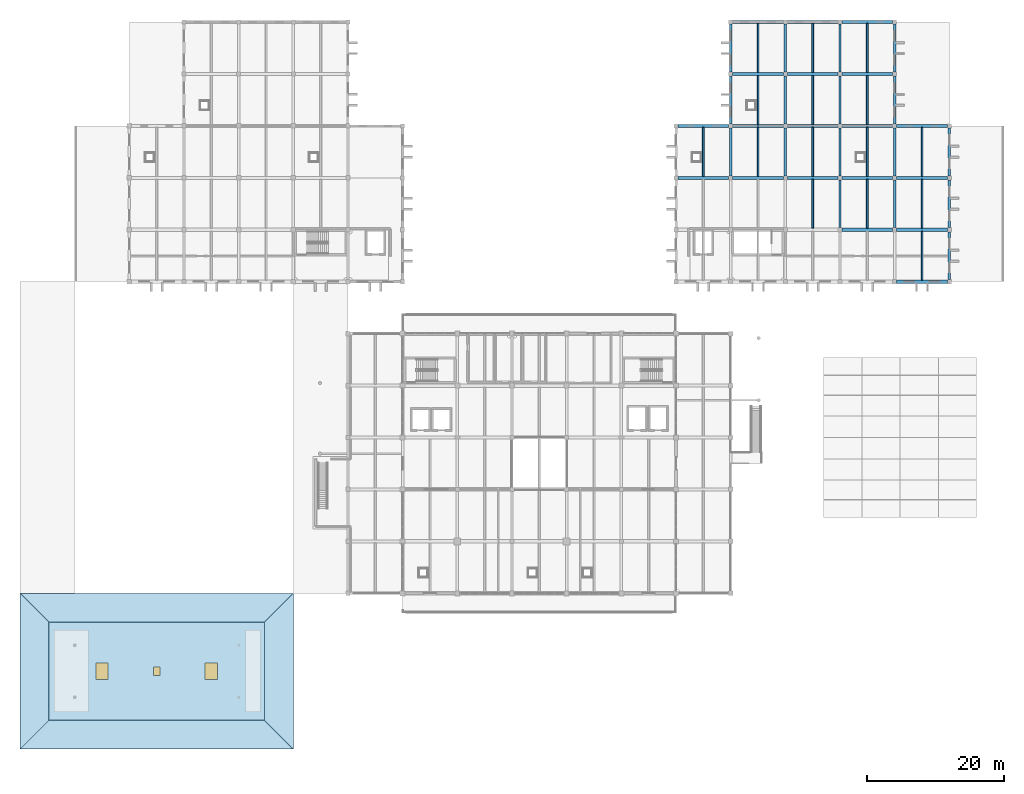
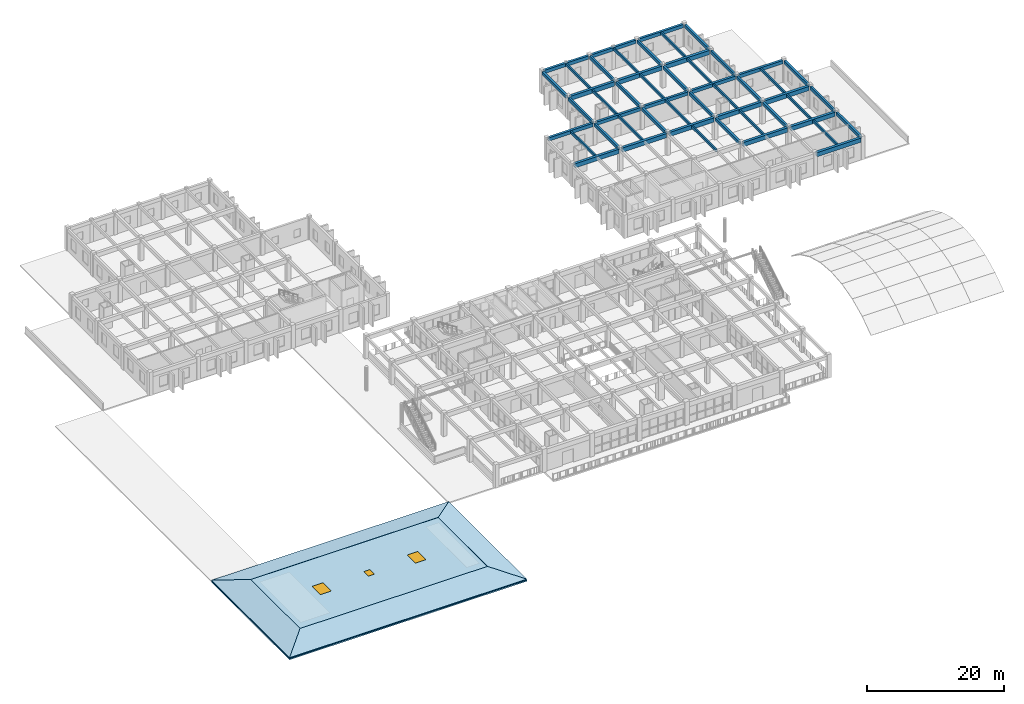
# One storey, part 31 of 63: 51 beams, 6 slabs, 2 windows, 1 door, 3 openings, 1 element without a shape of its own.
"""IFC4 building model written with IfcOpenShell, lengths in metres."""

from ifc_helpers import new_model, si_unit, direction, frame, origin, origin_2d, place, context, subcontext, project, spatial, polyline, rectangle, outline, extrude, material, layer, layer_set, material_profile, profile_set, type_object, element, fill, aggregate, save


model = new_model("IFC4")

# Units and contexts
model_context = context("Model", 3, precision=1e-05, world=origin(), true_north=direction((0.0, 1.0)))
body_context = subcontext(model_context, "Body", "Model", "MODEL_VIEW")
ifc_project = project(units=[si_unit("LENGTHUNIT", "METRE"), si_unit("AREAUNIT", "SQUARE_METRE"), si_unit("VOLUMEUNIT", "CUBIC_METRE"), si_unit("PLANEANGLEUNIT", "RADIAN"), si_unit("MASSUNIT", "GRAM", prefix="KILO")], contexts=[model_context])

# Site, building, storey
site_placement = place(None, origin())
site = spatial("IfcSite", under=ifc_project, at=site_placement, CompositionType="ELEMENT")
building_placement = place(site_placement, origin())
building = spatial("IfcBuilding", under=site, at=building_placement, Name="Zantavel Square City Hall", CompositionType="ELEMENT")
storey_placement = place(building_placement, frame((0.0, 0.0, 14.699951171875)))
storey = spatial("IfcBuildingStorey", under=building, at=storey_placement, Name="L04", CompositionType="ELEMENT", Elevation=14.699951171875)

# Beams
ifc_material_1 = material(Name="Concrete C35/45", Category="concrete")
ifc_material_profile_1 = material_profile(ifc_material_1, rectangle(XDim=0.25, YDim=0.449951171875, at=origin_2d()), Name="RC 250x450")
ifc_profile_set_1 = profile_set([ifc_material_profile_1], Name="Concrete C35/45")
beam_type_1 = type_object("IfcBeamType", Name="Light Floor Joist RC 250x450 C35/45", PredefinedType="JOIST", material=ifc_profile_set_1)
for number, where, z_axis, x_axis, name in (
    (1, (108.0, 91.425048828125, 3.695068359375), (0.0, 1.0, 0.0), (-1.0, 0.0, 0.0), "L04 Floor Joist JST-L04-1080-0912"),
    (2, (116.0, 91.425048828125, 3.695068359375), (0.0, 1.0, 0.0), (-1.0, 0.0, 0.0), "L04 Floor Joist JST-L04-1160-0912"),
    (3, (116.0, 99.0, 3.695068359375), (0.0, 1.0, 0.0), (-1.0, 0.0, 0.0), "L04 Floor Joist JST-L04-1160-0988"),
    (4, (116.0, 106.625, 3.695068359375), (0.0, 1.0, 0.0), (-1.0, 0.0, 0.0), "L04 Floor Joist JST-L04-1160-1064"),
):
    element("IfcBeam", number, at=place(storey_placement, frame(where, z_axis=z_axis, x_axis=x_axis)), inside=storey, type_object=beam_type_1, Name=name, PredefinedType="JOIST", context=body_context, shape_type="SweptSolid", body=[
        extrude(rectangle(XDim=0.25, YDim=0.449951171875, at=origin_2d()), origin(), (0.0, 0.0, 1.0), 7.175048828125),
    ])
beam_1_placement = place(storey_placement, frame((124.0, 83.824951171875, 3.695068359375), z_axis=(0.0, 1.0, 0.0), x_axis=(-1.0, 0.0, 0.0)))
element("IfcBeam", 5, at=beam_1_placement, inside=storey, type_object=beam_type_1, Name="L04 Floor Joist JST-L04-1240-0836", PredefinedType="JOIST", context=body_context, shape_type="SweptSolid", body=[
    extrude(rectangle(XDim=0.25, YDim=0.449951171875, at=origin_2d()), origin(), (0.0, 0.0, 1.0), 7.150146484375),
])
for number, where, z_axis, x_axis, name in (
    (6, (124.0, 91.425048828125, 3.695068359375), (0.0, 1.0, 0.0), (-1.0, 0.0, 0.0), "L04 Floor Joist JST-L04-1240-0912"),
    (7, (124.0, 99.0, 3.695068359375), (0.0, 1.0, 0.0), (-1.0, 0.0, 0.0), "L04 Floor Joist JST-L04-1240-0988"),
    (8, (124.0, 106.625, 3.695068359375), (0.0, 1.0, 0.0), (-1.0, 0.0, 0.0), "L04 Floor Joist JST-L04-1240-1064"),
):
    element("IfcBeam", number, at=place(storey_placement, frame(where, z_axis=z_axis, x_axis=x_axis)), inside=storey, type_object=beam_type_1, Name=name, PredefinedType="JOIST", context=body_context, shape_type="SweptSolid", body=[
        extrude(rectangle(XDim=0.25, YDim=0.449951171875, at=origin_2d()), origin(), (0.0, 0.0, 1.0), 7.175048828125),
    ])
beam_2_placement = place(storey_placement, frame((132.0, 83.824951171875, 3.695068359375), z_axis=(0.0, 1.0, 0.0), x_axis=(-1.0, 0.0, 0.0)))
element("IfcBeam", 9, at=beam_2_placement, inside=storey, type_object=beam_type_1, Name="L04 Floor Joist JST-L04-1320-0836", PredefinedType="JOIST", context=body_context, shape_type="SweptSolid", body=[
    extrude(rectangle(XDim=0.25, YDim=0.449951171875, at=origin_2d()), origin(), (0.0, 0.0, 1.0), 7.150146484375),
])
for number, where, z_axis, x_axis, name in (
    (10, (132.0, 91.425048828125, 3.695068359375), (0.0, 1.0, 0.0), (-1.0, 0.0, 0.0), "L04 Floor Joist JST-L04-1320-0912"),
    (11, (132.0, 99.0, 3.695068359375), (0.0, 1.0, 0.0), (-1.0, 0.0, 0.0), "L04 Floor Joist JST-L04-1320-0988"),
    (12, (132.0, 106.625, 3.695068359375), (0.0, 1.0, 0.0), (-1.0, 0.0, 0.0), "L04 Floor Joist JST-L04-1320-1064"),
):
    element("IfcBeam", number, at=place(storey_placement, frame(where, z_axis=z_axis, x_axis=x_axis)), inside=storey, type_object=beam_type_1, Name=name, PredefinedType="JOIST", context=body_context, shape_type="SweptSolid", body=[
        extrude(rectangle(XDim=0.25, YDim=0.449951171875, at=origin_2d()), origin(), (0.0, 0.0, 1.0), 7.175048828125),
    ])
beam_3_placement = place(storey_placement, frame((140.0, 76.22509765625, 3.695068359375), z_axis=(0.0, 1.0, 0.0), x_axis=(-1.0, 0.0, 0.0)))
element("IfcBeam", 13, at=beam_3_placement, inside=storey, type_object=beam_type_1, Name="L04 Floor Joist JST-L04-1400-0760", PredefinedType="JOIST", context=body_context, shape_type="SweptSolid", body=[
    extrude(rectangle(XDim=0.25, YDim=0.449951171875, at=origin_2d()), origin(), (0.0, 0.0, 1.0), 7.14990234375),
])
beam_4_placement = place(storey_placement, frame((140.0, 83.824951171875, 3.695068359375), z_axis=(0.0, 1.0, 0.0), x_axis=(-1.0, 0.0, 0.0)))
element("IfcBeam", 14, at=beam_4_placement, inside=storey, type_object=beam_type_1, Name="L04 Floor Joist JST-L04-1400-0836", PredefinedType="JOIST", context=body_context, shape_type="SweptSolid", body=[
    extrude(rectangle(XDim=0.25, YDim=0.449951171875, at=origin_2d()), origin(), (0.0, 0.0, 1.0), 7.150146484375),
])
beam_5_placement = place(storey_placement, frame((140.0, 91.425048828125, 3.695068359375), z_axis=(0.0, 1.0, 0.0), x_axis=(-1.0, 0.0, 0.0)))
element("IfcBeam", 15, at=beam_5_placement, inside=storey, type_object=beam_type_1, Name="L04 Floor Joist JST-L04-1400-0912", PredefinedType="JOIST", context=body_context, shape_type="SweptSolid", body=[
    extrude(rectangle(XDim=0.25, YDim=0.449951171875, at=origin_2d()), origin(), (0.0, 0.0, 1.0), 7.175048828125),
])
ifc_material_profile_2 = material_profile(ifc_material_1, rectangle(XDim=0.39990234375, YDim=0.60009765625, at=origin_2d()), Name="RC 400x600")
ifc_profile_set_2 = profile_set([ifc_material_profile_2], Name="Concrete C35/45")
beam_type_2 = type_object("IfcBeamType", Name="Perimeter Spandrel RC 400x600 C35/45", PredefinedType="SPANDREL", material=ifc_profile_set_2)
for number, where, z_axis, x_axis, name in (
    (16, (104.300048828125, 98.800048828125, 3.6201171875), (1.0, 0.0, 0.0), (0.0, 1.0, 0.0), "L04 Girder BMX-L04-1040-0988"),
    (17, (112.300048828125, 98.800048828125, 3.6201171875), (1.0, 0.0, 0.0), (0.0, 1.0, 0.0), "L04 Girder BMX-L04-1120-0988"),
    (18, (112.300048828125, 114.0, 3.6201171875), (1.0, 0.0, 0.0), (0.0, 1.0, 0.0), "L04 Girder BMX-L04-1120-1140"),
    (19, (120.300048828125, 98.800048828125, 3.6201171875), (1.0, 0.0, 0.0), (0.0, 1.0, 0.0), "L04 Girder BMX-L04-1200-0988"),
    (20, (120.300048828125, 114.0, 3.6201171875), (1.0, 0.0, 0.0), (0.0, 1.0, 0.0), "L04 Girder BMX-L04-1200-1140"),
    (21, (128.300048828125, 98.800048828125, 3.6201171875), (1.0, 0.0, 0.0), (0.0, 1.0, 0.0), "L04 Girder BMX-L04-1280-0988"),
    (22, (128.300048828125, 114.0, 3.6201171875), (1.0, 0.0, 0.0), (0.0, 1.0, 0.0), "L04 Girder BMX-L04-1280-1140"),
    (23, (136.300048828125, 98.800048828125, 3.6201171875), (1.0, 0.0, 0.0), (0.0, 1.0, 0.0), "L04 Girder BMX-L04-1360-0988"),
):
    element("IfcBeam", number, at=place(storey_placement, frame(where, z_axis=z_axis, x_axis=x_axis)), inside=storey, type_object=beam_type_2, Name=name, PredefinedType="SPANDREL", context=body_context, shape_type="SweptSolid", body=[
        extrude(rectangle(XDim=0.39990234375, YDim=0.60009765625, at=origin_2d()), origin(), (0.0, 0.0, 1.0), 7.39990234375),
    ])
ifc_material_profile_3 = material_profile(ifc_material_1, rectangle(XDim=0.449951171875, YDim=0.75, at=origin_2d()), Name="RC 450x750")
ifc_profile_set_3 = profile_set([ifc_material_profile_3], Name="Concrete C35/45")
beam_type_3 = type_object("IfcBeamType", Name="Primary Girder RC 450x750 C35/45", PredefinedType="BEAM", material=ifc_profile_set_3)
for number, where, z_axis, x_axis, name in (
    (24, (104.300048828125, 91.199951171875, 3.545166015625), (1.0, 0.0, 0.0), (0.0, 1.0, 0.0), "L04 Girder BMX-L04-1040-0912"),
    (25, (112.300048828125, 91.199951171875, 3.545166015625), (1.0, 0.0, 0.0), (0.0, 1.0, 0.0), "L04 Girder BMX-L04-1120-0912"),
    (26, (112.300048828125, 106.39990234375, 3.545166015625), (1.0, 0.0, 0.0), (0.0, 1.0, 0.0), "L04 Girder BMX-L04-1120-1064"),
    (27, (120.300048828125, 91.199951171875, 3.545166015625), (1.0, 0.0, 0.0), (0.0, 1.0, 0.0), "L04 Girder BMX-L04-1200-0912"),
    (28, (120.300048828125, 106.39990234375, 3.545166015625), (1.0, 0.0, 0.0), (0.0, 1.0, 0.0), "L04 Girder BMX-L04-1200-1064"),
    (29, (128.300048828125, 83.60009765625, 3.545166015625), (1.0, 0.0, 0.0), (0.0, 1.0, 0.0), "L04 Girder BMX-L04-1280-0836"),
    (30, (128.300048828125, 91.199951171875, 3.545166015625), (1.0, 0.0, 0.0), (0.0, 1.0, 0.0), "L04 Girder BMX-L04-1280-0912"),
    (31, (128.300048828125, 106.39990234375, 3.545166015625), (1.0, 0.0, 0.0), (0.0, 1.0, 0.0), "L04 Girder BMX-L04-1280-1064"),
    (32, (136.300048828125, 76.0, 3.545166015625), (1.0, 0.0, 0.0), (0.0, 1.0, 0.0), "L04 Girder BMX-L04-1360-0760"),
    (33, (136.300048828125, 83.60009765625, 3.545166015625), (1.0, 0.0, 0.0), (0.0, 1.0, 0.0), "L04 Girder BMX-L04-1360-0836"),
    (34, (136.300048828125, 91.199951171875, 3.545166015625), (1.0, 0.0, 0.0), (0.0, 1.0, 0.0), "L04 Girder BMX-L04-1360-0912"),
):
    element("IfcBeam", number, at=place(storey_placement, frame(where, z_axis=z_axis, x_axis=x_axis)), inside=storey, type_object=beam_type_3, Name=name, PredefinedType="BEAM", context=body_context, shape_type="SweptSolid", body=[
        extrude(rectangle(XDim=0.449951171875, YDim=0.75, at=origin_2d()), origin(), (0.0, 0.0, 1.0), 7.39990234375),
    ])
ifc_material_profile_4 = material_profile(ifc_material_1, rectangle(XDim=0.35009765625, YDim=0.550048828125, at=origin_2d()), Name="RC 350x550")
ifc_profile_set_4 = profile_set([ifc_material_profile_4], Name="Concrete C35/45")
beam_type_4 = type_object("IfcBeamType", Name="Secondary Beam RC 350x550 C35/45", PredefinedType="BEAM", material=ifc_profile_set_4)
for number, where, z_axis, x_axis, name in (
    (35, (112.0, 91.5, 3.64501953125), (0.0, 1.0, 0.0), (-1.0, 0.0, 0.0), "L04 Beam BMY-L04-1120-0912"),
    (36, (112.0, 99.10009765625, 3.64501953125), (0.0, 1.0, 0.0), (-1.0, 0.0, 0.0), "L04 Beam BMY-L04-1120-0988"),
    (37, (112.0, 106.699951171875, 3.64501953125), (0.0, 1.0, 0.0), (-1.0, 0.0, 0.0), "L04 Beam BMY-L04-1120-1064"),
    (38, (120.0, 91.5, 3.64501953125), (0.0, 1.0, 0.0), (-1.0, 0.0, 0.0), "L04 Beam BMY-L04-1200-0912"),
    (39, (120.0, 99.10009765625, 3.64501953125), (0.0, 1.0, 0.0), (-1.0, 0.0, 0.0), "L04 Beam BMY-L04-1200-0988"),
    (40, (120.0, 106.699951171875, 3.64501953125), (0.0, 1.0, 0.0), (-1.0, 0.0, 0.0), "L04 Beam BMY-L04-1200-1064"),
    (41, (128.0, 83.89990234375, 3.64501953125), (0.0, 1.0, 0.0), (-1.0, 0.0, 0.0), "L04 Beam BMY-L04-1280-0836"),
    (42, (128.0, 91.5, 3.64501953125), (0.0, 1.0, 0.0), (-1.0, 0.0, 0.0), "L04 Beam BMY-L04-1280-0912"),
    (43, (128.0, 99.10009765625, 3.64501953125), (0.0, 1.0, 0.0), (-1.0, 0.0, 0.0), "L04 Beam BMY-L04-1280-0988"),
    (44, (128.0, 106.699951171875, 3.64501953125), (0.0, 1.0, 0.0), (-1.0, 0.0, 0.0), "L04 Beam BMY-L04-1280-1064"),
    (45, (136.0, 83.89990234375, 3.64501953125), (0.0, 1.0, 0.0), (-1.0, 0.0, 0.0), "L04 Beam BMY-L04-1360-0836"),
    (46, (136.0, 91.5, 3.64501953125), (0.0, 1.0, 0.0), (-1.0, 0.0, 0.0), "L04 Beam BMY-L04-1360-0912"),
    (47, (136.0, 99.10009765625, 3.64501953125), (0.0, 1.0, 0.0), (-1.0, 0.0, 0.0), "L04 Beam BMY-L04-1360-0988"),
    (48, (136.0, 106.699951171875, 3.64501953125), (0.0, 1.0, 0.0), (-1.0, 0.0, 0.0), "L04 Beam BMY-L04-1360-1064"),
    (49, (144.0, 76.300048828125, 3.64501953125), (0.0, 1.0, 0.0), (-1.0, 0.0, 0.0), "L04 Beam BMY-L04-1440-0760"),
    (50, (144.0, 83.89990234375, 3.64501953125), (0.0, 1.0, 0.0), (-1.0, 0.0, 0.0), "L04 Beam BMY-L04-1440-0836"),
    (51, (144.0, 91.5, 3.64501953125), (0.0, 1.0, 0.0), (-1.0, 0.0, 0.0), "L04 Beam BMY-L04-1440-0912"),
):
    element("IfcBeam", number, at=place(storey_placement, frame(where, z_axis=z_axis, x_axis=x_axis)), inside=storey, type_object=beam_type_4, Name=name, PredefinedType="BEAM", context=body_context, shape_type="SweptSolid", body=[
        extrude(rectangle(XDim=0.35009765625, YDim=0.550048828125, at=origin_2d()), origin(), (0.0, 0.0, 1.0), 7.0),
    ])

# Roof, slab, openings, door, windows
ifc_material_2 = material(Name="Patinated copper-zinc standing seam", Category="aluminium")
roof_type = type_object("IfcRoofType", Name="Copper-Zinc Mansard Roof Assembly", PredefinedType="MANSARD_ROOF", material=ifc_material_2)
roof_placement = place(storey_placement, origin())
roof = element("IfcRoof", 52, at=roof_placement, inside=storey, type_object=roof_type, Name="L04 Copper-Zinc Mansard Roof ROOF-V3-MANSARD", PredefinedType="MANSARD_ROOF")
ifc_layer_1 = layer(ifc_material_1, 0.219970703125, Name="Concrete C35/45")
ifc_layer_set_1 = layer_set([ifc_layer_1], Name="Concrete C35/45")
slab_type_1 = type_object("IfcSlabType", Name="Insulated Flat Roof Slab 220mm C35/45", PredefinedType="ROOF", material=ifc_layer_set_1)
slab_1_placement = place(storey_placement, frame((0.0, 0.0, 1.13427734375)))
slab_1 = element("IfcSlab", 53, at=slab_1_placement, type_object=slab_type_1, Name="ROOF-V3-MANSARD Mansard Crown Roof Slab", PredefinedType="ROOF", context=body_context, shape_type="SweptSolid", body=[
    extrude(outline(polyline([(12.179931640625, 11.780029296875), (43.820068359375, 11.780029296875), (43.820068359375, 26.219970703125), (12.179931640625, 26.219970703125), (12.179931640625, 11.780029296875)])), origin(), (0.0, 0.0, 1.0), 0.219970703125),
])
opening_1_placement = place(slab_1_placement, frame((20.0, 19.0, 0.0)))
opening_1 = element("IfcOpeningElement", 54, at=opening_1_placement, cuts=slab_1, Name="Opening SK-05", PredefinedType="OPENING", context=body_context, shape_type="SweptSolid", body=[
    extrude(rectangle(XDim=1.800048828125, YDim=2.39990234375, at=origin_2d()), frame((0.0, 0.0, -0.02001953125)), (0.0, 0.0, 1.0), 0.260009765625),
])
opening_2_placement = place(slab_1_placement, frame((36.0, 19.0, 0.0)))
opening_2 = element("IfcOpeningElement", 55, at=opening_2_placement, cuts=slab_1, Name="Opening SK-06", PredefinedType="OPENING", context=body_context, shape_type="SweptSolid", body=[
    extrude(rectangle(XDim=1.800048828125, YDim=2.39990234375, at=origin_2d()), frame((0.0, 0.0, -0.02001953125)), (0.0, 0.0, 1.0), 0.260009765625),
])
opening_3_placement = place(slab_1_placement, frame((28.0, 19.0, 0.0)))
opening_3 = element("IfcOpeningElement", 56, at=opening_3_placement, cuts=slab_1, Name="Opening RH-04", PredefinedType="OPENING", context=body_context, shape_type="SweptSolid", body=[
    extrude(rectangle(XDim=1.0, YDim=1.300048828125, at=origin_2d()), frame((0.0, 0.0, -0.02001953125)), (0.0, 0.0, 1.0), 0.284912109375),
])
ifc_material_3 = material(Name="Anodised aluminium 6063-T6", Category="aluminium")
door_type = type_object("IfcDoorType", Name="Insulated Roof Maintenance Hatch 1000x1300", OperationType="NOTDEFINED", PredefinedType="TRAPDOOR", material=ifc_material_3)
door_placement = place(opening_3_placement, frame((0.0, 0.0, 0.19482421875)))
door = element("IfcDoor", 57, at=door_placement, inside=storey, type_object=door_type, Name="L04 Roof Maintenance Hatch RH-04", OperationType="SINGLE_SWING_LEFT", OverallHeight=1.300048828125, OverallWidth=1.0, PredefinedType="TRAPDOOR", context=body_context, shape_type="SweptSolid", body=[
    extrude(rectangle(XDim=1.0, YDim=1.300048828125, at=origin_2d()), origin(), (0.0, 0.0, 1.0), 0.050048828125),
])
fill(opening_3, door)
ifc_material_4 = material(Name="Tempered safety glass low-E double glazing", Category="glass")
window_type = type_object("IfcWindowType", Name="Skylight Library Reading 1800x2400", PartitioningType="DOUBLE_PANEL_HORIZONTAL", PredefinedType="SKYLIGHT", material=ifc_material_4)
window_1_placement = place(opening_1_placement, frame((0.0, 0.0, 0.169921875)))
window_1 = element("IfcWindow", 58, at=window_1_placement, inside=storey, type_object=window_type, Name="L04 Roof Skylight SK-05", OverallHeight=2.39990234375, OverallWidth=1.800048828125, PartitioningType="SINGLE_PANEL", PredefinedType="SKYLIGHT", context=body_context, shape_type="SweptSolid", body=[
    extrude(rectangle(XDim=1.800048828125, YDim=2.39990234375, at=origin_2d()), origin(), (0.0, 0.0, 1.0), 0.050048828125),
])
fill(opening_1, window_1)
window_2_placement = place(opening_2_placement, frame((0.0, 0.0, 0.169921875)))
window_2 = element("IfcWindow", 59, at=window_2_placement, inside=storey, type_object=window_type, Name="L04 Roof Skylight SK-06", OverallHeight=2.39990234375, OverallWidth=1.800048828125, PartitioningType="SINGLE_PANEL", PredefinedType="SKYLIGHT", context=body_context, shape_type="SweptSolid", body=[
    extrude(rectangle(XDim=1.800048828125, YDim=2.39990234375, at=origin_2d()), origin(), (0.0, 0.0, 1.0), 0.050048828125),
])
fill(opening_2, window_2)

# Slab
slab_2_placement = place(storey_placement, frame((0.0, 0.0, -0.219970703125)))
element("IfcSlab", 60, at=slab_2_placement, inside=storey, type_object=slab_type_1, Name="L04 Insulated Flat Roof Slab SLB-ROOF-V3-MANSARD-BASE1-1", PredefinedType="ROOF", context=body_context, shape_type="SweptSolid", body=[
    extrude(outline(polyline([(8.0, 7.60009765625), (8.0, 30.39990234375), (48.0, 30.39990234375), (48.0, 7.60009765625), (8.0, 7.60009765625)])), origin(), (0.0, 0.0, 1.0), 0.219970703125),
])

ifc_layer_2 = layer(ifc_material_1, 0.179931640625, Name="Concrete C35/45")
ifc_layer_set_2 = layer_set([ifc_layer_2], Name="Concrete C35/45")
slab_type_2 = type_object("IfcSlabType", Name="Mansard Sloped Roof Deck 180mm C35/45", PredefinedType="ROOF", material=ifc_layer_set_2)
slab_3_placement = place(storey_placement, frame((8.0, 7.60009765625, 0.1650390625), z_axis=(0.0, -0.275643506683, 0.961259932185), x_axis=(1.0, 0.0, 0.0)))
slab_3 = element("IfcSlab", 61, at=slab_3_placement, type_object=slab_type_2, Name="ROOF-V3-MANSARD Sloped Mansard Skirt S", PredefinedType="ROOF", context=body_context, shape_type="SweptSolid", body=[
    extrude(outline(polyline([(0.0, 0.0), (40.0, 0.0), (35.800048828125, 4.369214851523078), (4.199951171875, 4.369214851523078), (0.0, 0.0)])), origin(), (0.0, 0.0, -1.0), 0.179931640625),
])

slab_4_placement = place(storey_placement, frame((48.0, 30.39990234375, 0.1650390625), z_axis=(0.0, 0.275643506683, 0.961259932185), x_axis=(-1.0, 0.0, 0.0)))
slab_4 = element("IfcSlab", 62, at=slab_4_placement, type_object=slab_type_2, Name="ROOF-V3-MANSARD Sloped Mansard Skirt N", PredefinedType="ROOF", context=body_context, shape_type="SweptSolid", body=[
    extrude(outline(polyline([(0.0, 0.0), (40.0, 0.0), (35.800048828125, 4.369214851523078), (4.199951171875, 4.369214851523078), (0.0, 0.0)])), origin(), (0.0, 0.0, -1.0), 0.179931640625),
])

slab_5_placement = place(storey_placement, frame((8.0, 30.39990234375, 0.1650390625), z_axis=(-0.275643506683, 0.0, 0.961259932185), x_axis=(0.0, -1.0, 0.0)))
slab_5 = element("IfcSlab", 63, at=slab_5_placement, type_object=slab_type_2, Name="ROOF-V3-MANSARD Sloped Mansard Skirt W", PredefinedType="ROOF", context=body_context, shape_type="SweptSolid", body=[
    extrude(outline(polyline([(0.0, 0.0), (22.7998046875, 0.0), (18.599853515625, 4.369214851523078), (4.199951171875, 4.369214851523078), (0.0, 0.0)])), origin(), (0.0, 0.0, -1.0), 0.179931640625),
])

slab_6_placement = place(storey_placement, frame((48.0, 7.60009765625, 0.1650390625), z_axis=(0.275643506683, 0.0, 0.961259932185), x_axis=(0.0, 1.0, 0.0)))
slab_6 = element("IfcSlab", 64, at=slab_6_placement, type_object=slab_type_2, Name="ROOF-V3-MANSARD Sloped Mansard Skirt E", PredefinedType="ROOF", context=body_context, shape_type="SweptSolid", body=[
    extrude(outline(polyline([(0.0, 0.0), (22.7998046875, 0.0), (18.599853515625, 4.369214851523078), (4.199951171875, 4.369214851523078), (0.0, 0.0)])), origin(), (0.0, 0.0, -1.0), 0.179931640625),
])

aggregate(roof, [slab_3, slab_4, slab_5, slab_6, slab_1])

save(model, "model.ifc")
